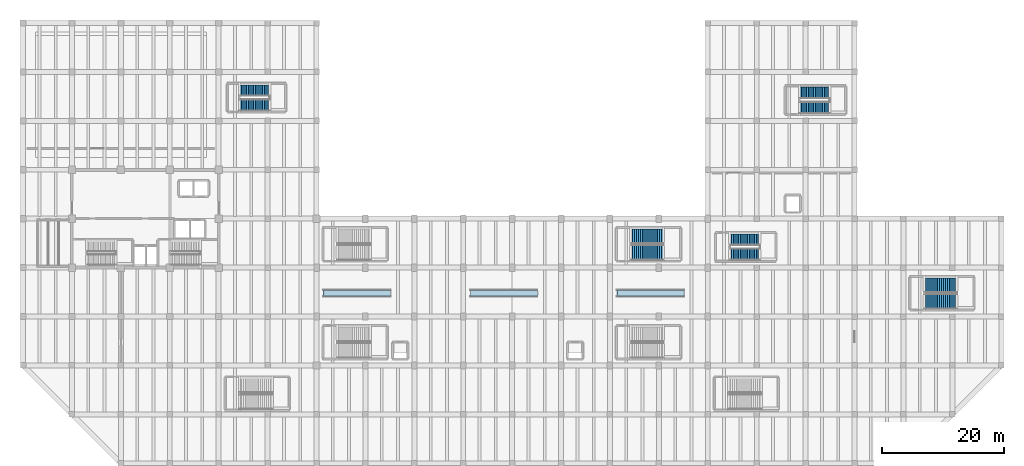
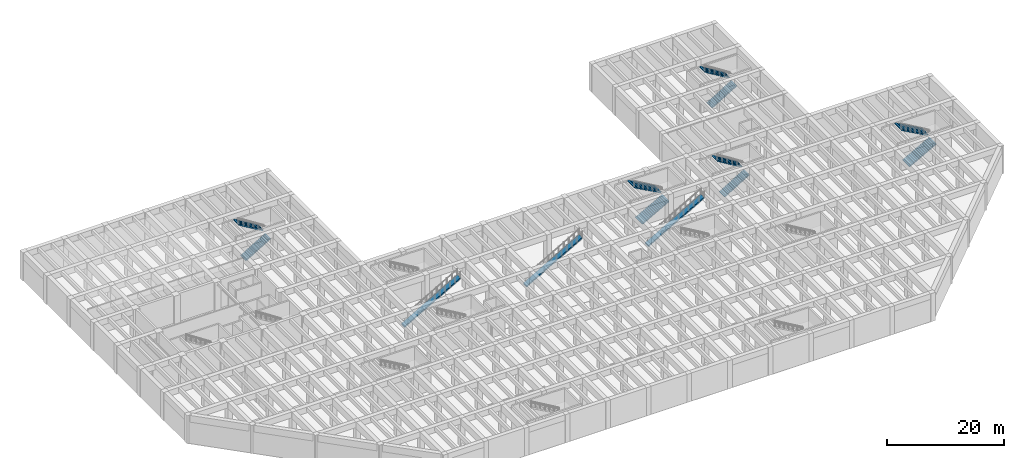
# One storey, part 14 of 24: 10 stair flights, 3 ramp flights, 8 elements without a shape of their own.
"""IFC4 building model written with IfcOpenShell, lengths in metres."""

from ifc_helpers import new_model, si_unit, direction, frame, origin, place, context, subcontext, project, spatial, polyline, outline, extrude, material, type_object, element, aggregate, save


model = new_model("IFC4")

# Units and contexts
model_context = context("Model", 3, precision=1e-05, world=origin(), true_north=direction((0.0, 1.0)))
body_context = subcontext(model_context, "Body", "Model", "MODEL_VIEW")
ifc_project = project(units=[si_unit("LENGTHUNIT", "METRE"), si_unit("AREAUNIT", "SQUARE_METRE"), si_unit("VOLUMEUNIT", "CUBIC_METRE"), si_unit("PLANEANGLEUNIT", "RADIAN"), si_unit("MASSUNIT", "GRAM", prefix="KILO")], contexts=[model_context])

# Site, building, storey
site_placement = place(None, origin())
site = spatial("IfcSite", under=ifc_project, at=site_placement, CompositionType="ELEMENT")
building_placement = place(site_placement, origin())
building = spatial("IfcBuilding", under=site, at=building_placement, Name="Varnela Railside Interchange", CompositionType="ELEMENT")
storey_placement = place(building_placement, frame((0.0, 0.0, -6.300048828125)))
storey = spatial("IfcBuildingStorey", under=building, at=storey_placement, Name="B1", CompositionType="ELEMENT", Elevation=-6.300048828125)

# Stair, stair flights
ifc_material = material(Name="Concrete C40", Category="concrete")
stair_type_1 = type_object("IfcStairType", Name="Study Pavilion Stair ST-180", PredefinedType="TWO_STRAIGHT_RUN_STAIR", material=ifc_material)
stair_1_placement = place(storey_placement, origin())
stair_1 = element("IfcStair", 1, at=stair_1_placement, inside=storey, type_object=stair_type_1, Name="Stair ST-E1 (B1) (SF-055)", PredefinedType="TWO_STRAIGHT_RUN_STAIR")
stair_flight_type_1 = type_object("IfcStairFlightType", Name="Concrete Stair Flight SF-180", PredefinedType="STRAIGHT", material=ifc_material)
stair_flight_1_placement = place(storey_placement, frame((119.60009765625, 56.199951171875, 0.0), z_axis=(0.0, 0.0, 1.0), x_axis=(1.0, 0.0, 0.0)))
stair_flight_1 = element("IfcStairFlight", 2, at=stair_flight_1_placement, type_object=stair_flight_type_1, Name="ST-E1 flight 1 (SF-056)", NumberOfRisers=18, NumberOfTreads=17, PredefinedType="STRAIGHT", RiserHeight=0.175, TreadLength=0.29, context=body_context, shape_type="SweptSolid", body=[
    extrude(outline(polyline([(0.0, 0.0), (0.0, 0.175048828125), (0.2900390625, 0.175048828125), (0.2900390625, 0.35009765625), (0.580078125, 0.35009765625), (0.580078125, 0.52490234375), (0.8701171875, 0.52490234375), (0.8701171875, 0.699951171875), (1.159912109375, 0.699951171875), (1.159912109375, 0.875), (1.449951171875, 0.875), (1.449951171875, 1.050048828125), (1.739990234375, 1.050048828125), (1.739990234375, 1.22509765625), (2.030029296875, 1.22509765625), (2.030029296875, 1.39990234375), (2.320068359375, 1.39990234375), (2.320068359375, 1.574951171875), (2.610107421875, 1.574951171875), (2.610107421875, 1.75), (2.89990234375, 1.75), (2.89990234375, 1.925048828125), (3.18994140625, 1.925048828125), (3.18994140625, 2.10009765625), (3.47998046875, 2.10009765625), (3.47998046875, 2.27490234375), (3.77001953125, 2.27490234375), (3.77001953125, 2.449951171875), (4.06005859375, 2.449951171875), (4.06005859375, 2.625), (4.35009765625, 2.625), (4.35009765625, 2.800048828125), (4.639892578125, 2.800048828125), (4.639892578125, 2.97509765625), (4.929931640625, 2.97509765625), (4.929931640625, 3.14990234375), (4.929931640625, 2.788330078125), (0.3095703125, 0.0), (0.0, 0.0)])), frame((0.0, 0.89990234375, 0.0), z_axis=(0.0, -1.0, 0.0), x_axis=(1.0, 0.0, 0.0)), (0.0, 0.0, 1.0), 1.800048828125),
])
stair_flight_2_placement = place(storey_placement, frame((124.530029296875, 58.60009765625, 3.150146484375), z_axis=(0.0, 0.0, 1.0), x_axis=(-1.0, 0.0, 0.0)))
stair_flight_2 = element("IfcStairFlight", 3, at=stair_flight_2_placement, type_object=stair_flight_type_1, Name="ST-E1 flight 2 (SF-057)", NumberOfRisers=18, NumberOfTreads=17, PredefinedType="STRAIGHT", RiserHeight=0.175, TreadLength=0.29, context=body_context, shape_type="SweptSolid", body=[
    extrude(outline(polyline([(0.0, 0.0), (0.0, 0.175048828125), (0.2900390625, 0.175048828125), (0.2900390625, 0.35009765625), (0.580078125, 0.35009765625), (0.580078125, 0.52490234375), (0.8701171875, 0.52490234375), (0.8701171875, 0.699951171875), (1.159912109375, 0.699951171875), (1.159912109375, 0.875), (1.449951171875, 0.875), (1.449951171875, 1.050048828125), (1.739990234375, 1.050048828125), (1.739990234375, 1.22509765625), (2.030029296875, 1.22509765625), (2.030029296875, 1.39990234375), (2.320068359375, 1.39990234375), (2.320068359375, 1.574951171875), (2.610107421875, 1.574951171875), (2.610107421875, 1.75), (2.89990234375, 1.75), (2.89990234375, 1.925048828125), (3.18994140625, 1.925048828125), (3.18994140625, 2.10009765625), (3.47998046875, 2.10009765625), (3.47998046875, 2.27490234375), (3.77001953125, 2.27490234375), (3.77001953125, 2.449951171875), (4.06005859375, 2.449951171875), (4.06005859375, 2.625), (4.35009765625, 2.625), (4.35009765625, 2.800048828125), (4.639892578125, 2.800048828125), (4.639892578125, 2.97509765625), (4.929931640625, 2.97509765625), (4.929931640625, 3.14990234375), (4.929931640625, 2.788330078125), (0.3095703125, 0.0), (0.0, 0.0)])), frame((0.0, 0.89990234375, 0.0), z_axis=(0.0, -1.0, 0.0), x_axis=(1.0, 0.0, 0.0)), (0.0, 0.0, 1.0), 1.800048828125),
])
aggregate(stair_1, [stair_flight_1, stair_flight_2])

stair_2_placement = place(storey_placement, origin())
stair_2 = element("IfcStair", 4, at=stair_2_placement, inside=storey, type_object=stair_type_1, Name="Stair ST-E2 (B1) (SF-058)", PredefinedType="TWO_STRAIGHT_RUN_STAIR")
stair_flight_3_placement = place(storey_placement, frame((131.0, 80.199951171875, 0.0), z_axis=(0.0, 0.0, 1.0), x_axis=(1.0, 0.0, 0.0)))
stair_flight_3 = element("IfcStairFlight", 5, at=stair_flight_3_placement, type_object=stair_flight_type_1, Name="ST-E2 flight 1 (SF-059)", NumberOfRisers=18, NumberOfTreads=17, PredefinedType="STRAIGHT", RiserHeight=0.175, TreadLength=0.29, context=body_context, shape_type="SweptSolid", body=[
    extrude(outline(polyline([(0.0, 0.0), (0.0, 0.175048828125), (0.2900390625, 0.175048828125), (0.2900390625, 0.35009765625), (0.580078125, 0.35009765625), (0.580078125, 0.52490234375), (0.8701171875, 0.52490234375), (0.8701171875, 0.699951171875), (1.159912109375, 0.699951171875), (1.159912109375, 0.875), (1.449951171875, 0.875), (1.449951171875, 1.050048828125), (1.739990234375, 1.050048828125), (1.739990234375, 1.22509765625), (2.030029296875, 1.22509765625), (2.030029296875, 1.39990234375), (2.320068359375, 1.39990234375), (2.320068359375, 1.574951171875), (2.610107421875, 1.574951171875), (2.610107421875, 1.75), (2.89990234375, 1.75), (2.89990234375, 1.925048828125), (3.18994140625, 1.925048828125), (3.18994140625, 2.10009765625), (3.47998046875, 2.10009765625), (3.47998046875, 2.27490234375), (3.77001953125, 2.27490234375), (3.77001953125, 2.449951171875), (4.06005859375, 2.449951171875), (4.06005859375, 2.625), (4.35009765625, 2.625), (4.35009765625, 2.800048828125), (4.639892578125, 2.800048828125), (4.639892578125, 2.97509765625), (4.929931640625, 2.97509765625), (4.929931640625, 3.14990234375), (4.929931640625, 2.788330078125), (0.3095703125, 0.0), (0.0, 0.0)])), frame((0.0, 0.89990234375, 0.0), z_axis=(0.0, -1.0, 0.0), x_axis=(1.0, 0.0, 0.0)), (0.0, 0.0, 1.0), 1.800048828125),
])
stair_flight_4_placement = place(storey_placement, frame((135.929931640625, 82.60009765625, 3.150146484375), z_axis=(0.0, 0.0, 1.0), x_axis=(-1.0, 0.0, 0.0)))
stair_flight_4 = element("IfcStairFlight", 6, at=stair_flight_4_placement, type_object=stair_flight_type_1, Name="ST-E2 flight 2 (SF-060)", NumberOfRisers=18, NumberOfTreads=17, PredefinedType="STRAIGHT", RiserHeight=0.175, TreadLength=0.29, context=body_context, shape_type="SweptSolid", body=[
    extrude(outline(polyline([(0.0, 0.0), (0.0, 0.175048828125), (0.2900390625, 0.175048828125), (0.2900390625, 0.35009765625), (0.580078125, 0.35009765625), (0.580078125, 0.52490234375), (0.8701171875, 0.52490234375), (0.8701171875, 0.699951171875), (1.159912109375, 0.699951171875), (1.159912109375, 0.875), (1.449951171875, 0.875), (1.449951171875, 1.050048828125), (1.739990234375, 1.050048828125), (1.739990234375, 1.22509765625), (2.030029296875, 1.22509765625), (2.030029296875, 1.39990234375), (2.320068359375, 1.39990234375), (2.320068359375, 1.574951171875), (2.610107421875, 1.574951171875), (2.610107421875, 1.75), (2.89990234375, 1.75), (2.89990234375, 1.925048828125), (3.18994140625, 1.925048828125), (3.18994140625, 2.10009765625), (3.47998046875, 2.10009765625), (3.47998046875, 2.27490234375), (3.77001953125, 2.27490234375), (3.77001953125, 2.449951171875), (4.06005859375, 2.449951171875), (4.06005859375, 2.625), (4.35009765625, 2.625), (4.35009765625, 2.800048828125), (4.639892578125, 2.800048828125), (4.639892578125, 2.97509765625), (4.929931640625, 2.97509765625), (4.929931640625, 3.14990234375), (4.929931640625, 2.788330078125), (0.3095703125, 0.0), (0.0, 0.0)])), frame((0.0, 0.89990234375, 0.0), z_axis=(0.0, -1.0, 0.0), x_axis=(1.0, 0.0, 0.0)), (0.0, 0.0, 1.0), 1.800048828125),
])
aggregate(stair_2, [stair_flight_3, stair_flight_4])

stair_3_placement = place(storey_placement, origin())
stair_3 = element("IfcStair", 7, at=stair_3_placement, inside=storey, type_object=stair_type_1, Name="Stair ST-W1 (B1) (SF-082)", PredefinedType="TWO_STRAIGHT_RUN_STAIR")
stair_flight_5_placement = place(storey_placement, frame((39.39990234375, 80.60009765625, 0.0), z_axis=(0.0, 0.0, 1.0), x_axis=(1.0, 0.0, 0.0)))
stair_flight_5 = element("IfcStairFlight", 8, at=stair_flight_5_placement, type_object=stair_flight_type_1, Name="ST-W1 flight 1 (SF-083)", NumberOfRisers=18, NumberOfTreads=17, PredefinedType="STRAIGHT", RiserHeight=0.175, TreadLength=0.29, context=body_context, shape_type="SweptSolid", body=[
    extrude(outline(polyline([(0.0, 0.0), (0.0, 0.175048828125), (0.2900390625, 0.175048828125), (0.2900390625, 0.35009765625), (0.580078125, 0.35009765625), (0.580078125, 0.52490234375), (0.8701171875, 0.52490234375), (0.8701171875, 0.699951171875), (1.159912109375, 0.699951171875), (1.159912109375, 0.875), (1.449951171875, 0.875), (1.449951171875, 1.050048828125), (1.739990234375, 1.050048828125), (1.739990234375, 1.22509765625), (2.030029296875, 1.22509765625), (2.030029296875, 1.39990234375), (2.320068359375, 1.39990234375), (2.320068359375, 1.574951171875), (2.610107421875, 1.574951171875), (2.610107421875, 1.75), (2.89990234375, 1.75), (2.89990234375, 1.925048828125), (3.18994140625, 1.925048828125), (3.18994140625, 2.10009765625), (3.47998046875, 2.10009765625), (3.47998046875, 2.27490234375), (3.77001953125, 2.27490234375), (3.77001953125, 2.449951171875), (4.06005859375, 2.449951171875), (4.06005859375, 2.625), (4.35009765625, 2.625), (4.35009765625, 2.800048828125), (4.639892578125, 2.800048828125), (4.639892578125, 2.97509765625), (4.929931640625, 2.97509765625), (4.929931640625, 3.14990234375), (4.929931640625, 2.788330078125), (0.3095703125, 0.0), (0.0, 0.0)])), frame((0.0, 0.89990234375, 0.0), z_axis=(0.0, -1.0, 0.0), x_axis=(1.0, 0.0, 0.0)), (0.0, 0.0, 1.0), 1.800048828125),
])
stair_flight_6_placement = place(storey_placement, frame((44.330078125, 83.0, 3.150146484375), z_axis=(0.0, 0.0, 1.0), x_axis=(-1.0, 0.0, 0.0)))
stair_flight_6 = element("IfcStairFlight", 9, at=stair_flight_6_placement, type_object=stair_flight_type_1, Name="ST-W1 flight 2 (SF-084)", NumberOfRisers=18, NumberOfTreads=17, PredefinedType="STRAIGHT", RiserHeight=0.175, TreadLength=0.29, context=body_context, shape_type="SweptSolid", body=[
    extrude(outline(polyline([(0.0, 0.0), (0.0, 0.175048828125), (0.2900390625, 0.175048828125), (0.2900390625, 0.35009765625), (0.580078125, 0.35009765625), (0.580078125, 0.52490234375), (0.8701171875, 0.52490234375), (0.8701171875, 0.699951171875), (1.159912109375, 0.699951171875), (1.159912109375, 0.875), (1.449951171875, 0.875), (1.449951171875, 1.050048828125), (1.739990234375, 1.050048828125), (1.739990234375, 1.22509765625), (2.030029296875, 1.22509765625), (2.030029296875, 1.39990234375), (2.320068359375, 1.39990234375), (2.320068359375, 1.574951171875), (2.610107421875, 1.574951171875), (2.610107421875, 1.75), (2.89990234375, 1.75), (2.89990234375, 1.925048828125), (3.18994140625, 1.925048828125), (3.18994140625, 2.10009765625), (3.47998046875, 2.10009765625), (3.47998046875, 2.27490234375), (3.77001953125, 2.27490234375), (3.77001953125, 2.449951171875), (4.06005859375, 2.449951171875), (4.06005859375, 2.625), (4.35009765625, 2.625), (4.35009765625, 2.800048828125), (4.639892578125, 2.800048828125), (4.639892578125, 2.97509765625), (4.929931640625, 2.97509765625), (4.929931640625, 3.14990234375), (4.929931640625, 2.788330078125), (0.3095703125, 0.0), (0.0, 0.0)])), frame((0.0, 0.89990234375, 0.0), z_axis=(0.0, -1.0, 0.0), x_axis=(1.0, 0.0, 0.0)), (0.0, 0.0, 1.0), 1.800048828125),
])
aggregate(stair_3, [stair_flight_5, stair_flight_6])

stair_type_2 = type_object("IfcStairType", Name="Concourse Public Stair ST-235", PredefinedType="TWO_STRAIGHT_RUN_STAIR", material=ifc_material)
stair_4_placement = place(storey_placement, origin())
stair_4 = element("IfcStair", 10, at=stair_4_placement, inside=storey, type_object=stair_type_2, Name="Stair ST-E3 (B1) (SF-061)", PredefinedType="TWO_STRAIGHT_RUN_STAIR")
stair_flight_type_2 = type_object("IfcStairFlightType", Name="Concrete Stair Flight SF-235", PredefinedType="STRAIGHT", material=ifc_material)
stair_flight_7_placement = place(storey_placement, frame((151.39990234375, 48.47509765625, 0.0), z_axis=(0.0, 0.0, 1.0), x_axis=(1.0, 0.0, 0.0)))
stair_flight_7 = element("IfcStairFlight", 11, at=stair_flight_7_placement, type_object=stair_flight_type_2, Name="ST-E3 flight 1 (SF-062)", NumberOfRisers=18, NumberOfTreads=17, PredefinedType="STRAIGHT", RiserHeight=0.175, TreadLength=0.315, context=body_context, shape_type="SweptSolid", body=[
    extrude(outline(polyline([(0.0, 0.0), (0.0, 0.175048828125), (0.31494140625, 0.175048828125), (0.31494140625, 0.35009765625), (0.6298828125, 0.35009765625), (0.6298828125, 0.52490234375), (0.945068359375, 0.52490234375), (0.945068359375, 0.699951171875), (1.260009765625, 0.699951171875), (1.260009765625, 0.875), (1.574951171875, 0.875), (1.574951171875, 1.050048828125), (1.889892578125, 1.050048828125), (1.889892578125, 1.22509765625), (2.205078125, 1.22509765625), (2.205078125, 1.39990234375), (2.52001953125, 1.39990234375), (2.52001953125, 1.574951171875), (2.8349609375, 1.574951171875), (2.8349609375, 1.75), (3.14990234375, 1.75), (3.14990234375, 1.925048828125), (3.465087890625, 1.925048828125), (3.465087890625, 2.10009765625), (3.780029296875, 2.10009765625), (3.780029296875, 2.27490234375), (4.094970703125, 2.27490234375), (4.094970703125, 2.449951171875), (4.409912109375, 2.449951171875), (4.409912109375, 2.625), (4.72509765625, 2.625), (4.72509765625, 2.800048828125), (5.0400390625, 2.800048828125), (5.0400390625, 2.97509765625), (5.35498046875, 2.97509765625), (5.35498046875, 3.14990234375), (5.35498046875, 2.7919921875), (0.329345703125, 0.0), (0.0, 0.0)])), frame((0.0, 1.175048828125, 0.0), z_axis=(0.0, -1.0, 0.0), x_axis=(1.0, 0.0, 0.0)), (0.0, 0.0, 1.0), 2.35009765625),
])
stair_flight_8_placement = place(storey_placement, frame((156.7548828125, 51.125, 3.150146484375), z_axis=(0.0, 0.0, 1.0), x_axis=(-1.0, 0.0, 0.0)))
stair_flight_8 = element("IfcStairFlight", 12, at=stair_flight_8_placement, type_object=stair_flight_type_2, Name="ST-E3 flight 2 (SF-063)", NumberOfRisers=18, NumberOfTreads=17, PredefinedType="STRAIGHT", RiserHeight=0.175, TreadLength=0.315, context=body_context, shape_type="SweptSolid", body=[
    extrude(outline(polyline([(0.0, 0.0), (0.0, 0.175048828125), (0.31494140625, 0.175048828125), (0.31494140625, 0.35009765625), (0.6298828125, 0.35009765625), (0.6298828125, 0.52490234375), (0.945068359375, 0.52490234375), (0.945068359375, 0.699951171875), (1.260009765625, 0.699951171875), (1.260009765625, 0.875), (1.574951171875, 0.875), (1.574951171875, 1.050048828125), (1.889892578125, 1.050048828125), (1.889892578125, 1.22509765625), (2.205078125, 1.22509765625), (2.205078125, 1.39990234375), (2.52001953125, 1.39990234375), (2.52001953125, 1.574951171875), (2.8349609375, 1.574951171875), (2.8349609375, 1.75), (3.14990234375, 1.75), (3.14990234375, 1.925048828125), (3.465087890625, 1.925048828125), (3.465087890625, 2.10009765625), (3.780029296875, 2.10009765625), (3.780029296875, 2.27490234375), (4.094970703125, 2.27490234375), (4.094970703125, 2.449951171875), (4.409912109375, 2.449951171875), (4.409912109375, 2.625), (4.72509765625, 2.625), (4.72509765625, 2.800048828125), (5.0400390625, 2.800048828125), (5.0400390625, 2.97509765625), (5.35498046875, 2.97509765625), (5.35498046875, 3.14990234375), (5.35498046875, 2.7919921875), (0.329345703125, 0.0), (0.0, 0.0)])), frame((0.0, 1.175048828125, 0.0), z_axis=(0.0, -1.0, 0.0), x_axis=(1.0, 0.0, 0.0)), (0.0, 0.0, 1.0), 2.35009765625),
])
aggregate(stair_4, [stair_flight_7, stair_flight_8])

stair_5_placement = place(storey_placement, origin())
stair_5 = element("IfcStair", 13, at=stair_5_placement, inside=storey, type_object=stair_type_2, Name="Stair ST-C4 (B1) (SF-052)", PredefinedType="TWO_STRAIGHT_RUN_STAIR")
stair_flight_9_placement = place(storey_placement, frame((103.39990234375, 56.47509765625, 0.0), z_axis=(0.0, 0.0, 1.0), x_axis=(1.0, 0.0, 0.0)))
stair_flight_9 = element("IfcStairFlight", 14, at=stair_flight_9_placement, type_object=stair_flight_type_2, Name="ST-C4 flight 1 (SF-053)", NumberOfRisers=18, NumberOfTreads=17, PredefinedType="STRAIGHT", RiserHeight=0.175, TreadLength=0.315, context=body_context, shape_type="SweptSolid", body=[
    extrude(outline(polyline([(0.0, 0.0), (0.0, 0.175048828125), (0.31494140625, 0.175048828125), (0.31494140625, 0.35009765625), (0.6298828125, 0.35009765625), (0.6298828125, 0.52490234375), (0.945068359375, 0.52490234375), (0.945068359375, 0.699951171875), (1.260009765625, 0.699951171875), (1.260009765625, 0.875), (1.574951171875, 0.875), (1.574951171875, 1.050048828125), (1.889892578125, 1.050048828125), (1.889892578125, 1.22509765625), (2.205078125, 1.22509765625), (2.205078125, 1.39990234375), (2.52001953125, 1.39990234375), (2.52001953125, 1.574951171875), (2.8349609375, 1.574951171875), (2.8349609375, 1.75), (3.14990234375, 1.75), (3.14990234375, 1.925048828125), (3.465087890625, 1.925048828125), (3.465087890625, 2.10009765625), (3.780029296875, 2.10009765625), (3.780029296875, 2.27490234375), (4.094970703125, 2.27490234375), (4.094970703125, 2.449951171875), (4.409912109375, 2.449951171875), (4.409912109375, 2.625), (4.72509765625, 2.625), (4.72509765625, 2.800048828125), (5.0400390625, 2.800048828125), (5.0400390625, 2.97509765625), (5.35498046875, 2.97509765625), (5.35498046875, 3.14990234375), (5.35498046875, 2.7919921875), (0.329345703125, 0.0), (0.0, 0.0)])), frame((0.0, 1.175048828125, 0.0), z_axis=(0.0, -1.0, 0.0), x_axis=(1.0, 0.0, 0.0)), (0.0, 0.0, 1.0), 2.35009765625),
])
stair_flight_10_placement = place(storey_placement, frame((108.7548828125, 59.125, 3.150146484375), z_axis=(0.0, 0.0, 1.0), x_axis=(-1.0, 0.0, 0.0)))
stair_flight_10 = element("IfcStairFlight", 15, at=stair_flight_10_placement, type_object=stair_flight_type_2, Name="ST-C4 flight 2 (SF-054)", NumberOfRisers=18, NumberOfTreads=17, PredefinedType="STRAIGHT", RiserHeight=0.175, TreadLength=0.315, context=body_context, shape_type="SweptSolid", body=[
    extrude(outline(polyline([(0.0, 0.0), (0.0, 0.175048828125), (0.31494140625, 0.175048828125), (0.31494140625, 0.35009765625), (0.6298828125, 0.35009765625), (0.6298828125, 0.52490234375), (0.945068359375, 0.52490234375), (0.945068359375, 0.699951171875), (1.260009765625, 0.699951171875), (1.260009765625, 0.875), (1.574951171875, 0.875), (1.574951171875, 1.050048828125), (1.889892578125, 1.050048828125), (1.889892578125, 1.22509765625), (2.205078125, 1.22509765625), (2.205078125, 1.39990234375), (2.52001953125, 1.39990234375), (2.52001953125, 1.574951171875), (2.8349609375, 1.574951171875), (2.8349609375, 1.75), (3.14990234375, 1.75), (3.14990234375, 1.925048828125), (3.465087890625, 1.925048828125), (3.465087890625, 2.10009765625), (3.780029296875, 2.10009765625), (3.780029296875, 2.27490234375), (4.094970703125, 2.27490234375), (4.094970703125, 2.449951171875), (4.409912109375, 2.449951171875), (4.409912109375, 2.625), (4.72509765625, 2.625), (4.72509765625, 2.800048828125), (5.0400390625, 2.800048828125), (5.0400390625, 2.97509765625), (5.35498046875, 2.97509765625), (5.35498046875, 3.14990234375), (5.35498046875, 2.7919921875), (0.329345703125, 0.0), (0.0, 0.0)])), frame((0.0, 1.175048828125, 0.0), z_axis=(0.0, -1.0, 0.0), x_axis=(1.0, 0.0, 0.0)), (0.0, 0.0, 1.0), 2.35009765625),
])
aggregate(stair_5, [stair_flight_9, stair_flight_10])

# Ramp, ramp flight
ramp_type = type_object("IfcRampType", Name="Escalator Structural Truss Deck PR-RMP", PredefinedType="STRAIGHT_RUN_RAMP", material=ifc_material)
ramp_1_placement = place(storey_placement, origin())
ramp_1 = element("IfcRamp", 16, at=ramp_1_placement, inside=storey, type_object=ramp_type, Name="Escalator Structural Truss Deck ES4", PredefinedType="STRAIGHT_RUN_RAMP")
ramp_flight_type = type_object("IfcRampFlightType", Name="Ramp Flight PR-RMP W1080", PredefinedType="STRAIGHT", material=ifc_material)
ramp_flight_1_placement = place(storey_placement, frame((53.14990234375, 49.800048828125, 0.0), z_axis=(0.0, 0.0, 1.0), x_axis=(1.0, 0.0, 0.0)))
ramp_flight_1 = element("IfcRampFlight", 17, at=ramp_flight_1_placement, type_object=ramp_flight_type, Name="Escalator Structural Truss Deck ES4 (F1)", PredefinedType="STRAIGHT", context=body_context, shape_type="SweptSolid", body=[
    extrude(outline(polyline([(0.0, -0.280029296875), (10.97021484375, 6.02001953125), (10.97021484375, 6.300048828125), (0.0, 0.0), (0.0, -0.280029296875)])), frame((0.0, 0.5400390625, 0.0), z_axis=(0.0, -1.0, 0.0), x_axis=(1.0, 0.0, 0.0)), (0.0, 0.0, 1.0), 1.080078125),
])
aggregate(ramp_1, [ramp_flight_1])

ramp_2_placement = place(storey_placement, origin())
ramp_2 = element("IfcRamp", 18, at=ramp_2_placement, inside=storey, type_object=ramp_type, Name="Escalator Structural Truss Deck ES5", PredefinedType="STRAIGHT_RUN_RAMP")
ramp_flight_2_placement = place(storey_placement, frame((77.14990234375, 49.800048828125, 0.0), z_axis=(0.0, 0.0, 1.0), x_axis=(1.0, 0.0, 0.0)))
ramp_flight_2 = element("IfcRampFlight", 19, at=ramp_flight_2_placement, type_object=ramp_flight_type, Name="Escalator Structural Truss Deck ES5 (F1)", PredefinedType="STRAIGHT", context=body_context, shape_type="SweptSolid", body=[
    extrude(outline(polyline([(0.0, -0.280029296875), (10.97021484375, 6.02001953125), (10.97021484375, 6.300048828125), (0.0, 0.0), (0.0, -0.280029296875)])), frame((0.0, 0.5400390625, 0.0), z_axis=(0.0, -1.0, 0.0), x_axis=(1.0, 0.0, 0.0)), (0.0, 0.0, 1.0), 1.080078125),
])
aggregate(ramp_2, [ramp_flight_2])

ramp_3_placement = place(storey_placement, origin())
ramp_3 = element("IfcRamp", 20, at=ramp_3_placement, inside=storey, type_object=ramp_type, Name="Escalator Structural Truss Deck ES6", PredefinedType="STRAIGHT_RUN_RAMP")
ramp_flight_3_placement = place(storey_placement, frame((101.14990234375, 49.800048828125, 0.0), z_axis=(0.0, 0.0, 1.0), x_axis=(1.0, 0.0, 0.0)))
ramp_flight_3 = element("IfcRampFlight", 21, at=ramp_flight_3_placement, type_object=ramp_flight_type, Name="Escalator Structural Truss Deck ES6 (F1)", PredefinedType="STRAIGHT", context=body_context, shape_type="SweptSolid", body=[
    extrude(outline(polyline([(0.0, -0.280029296875), (10.97021484375, 6.02001953125), (10.97021484375, 6.300048828125), (0.0, 0.0), (0.0, -0.280029296875)])), frame((0.0, 0.5400390625, 0.0), z_axis=(0.0, -1.0, 0.0), x_axis=(1.0, 0.0, 0.0)), (0.0, 0.0, 1.0), 1.080078125),
])
aggregate(ramp_3, [ramp_flight_3])

save(model, "model.ifc")
